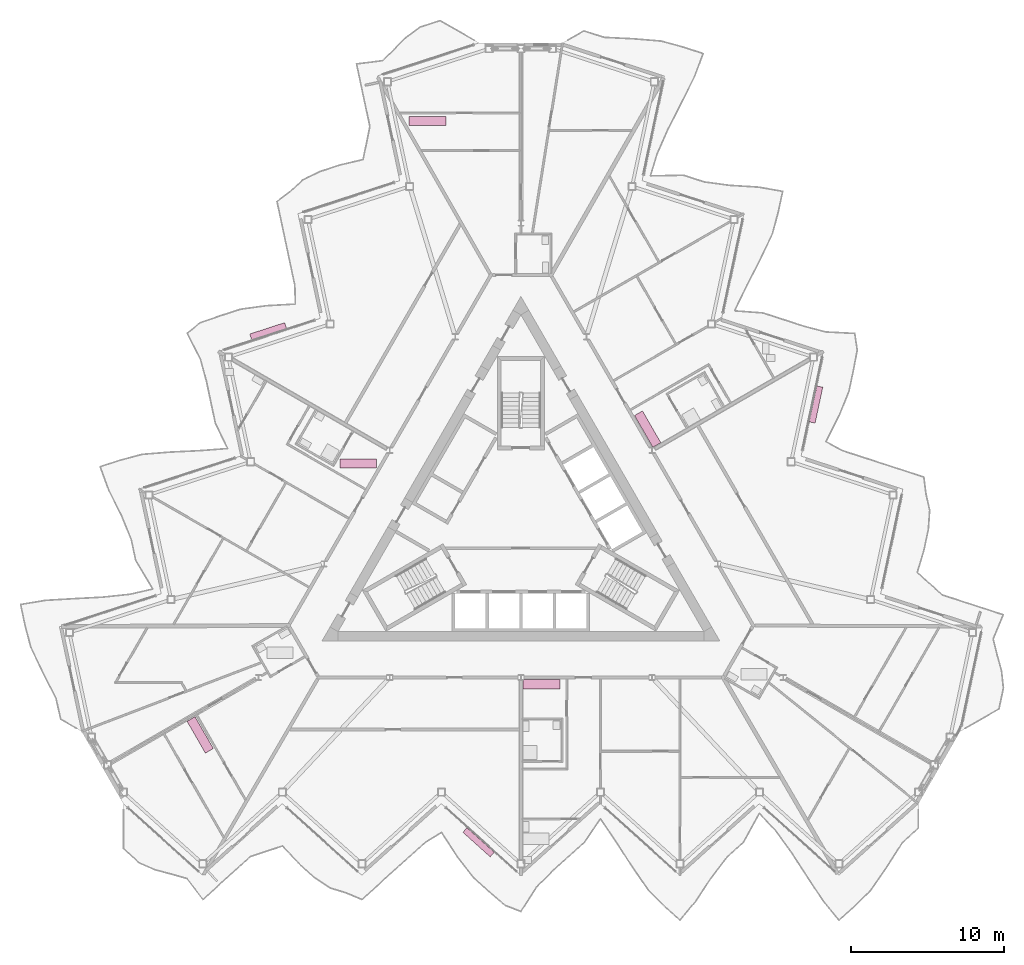
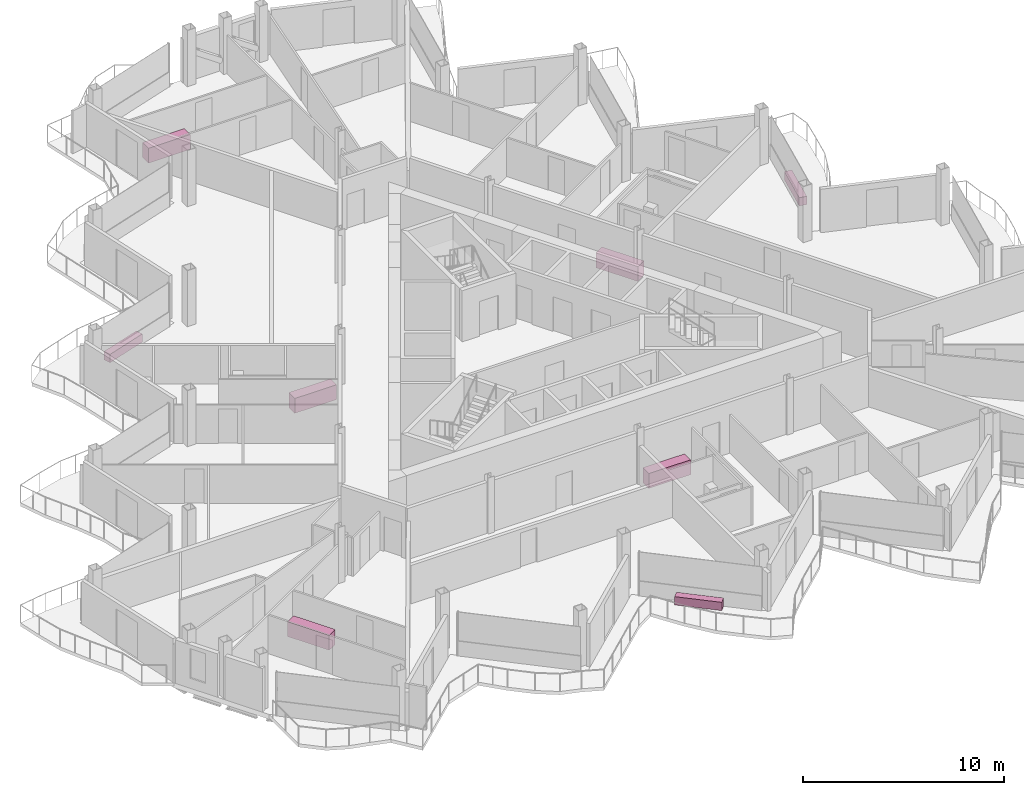
# One storey, part 26 of 26: 8 furniture elements.
"""IFC4 building model written with IfcOpenShell, lengths in metres."""

from ifc_helpers import new_model, si_unit, direction, frame, origin, origin_2d, place, context, subcontext, project, spatial, rectangle, extrude, material, type_object, element, save


model = new_model("IFC4")

# Units and contexts
model_context = context("Model", 3, precision=1e-05, world=origin(), true_north=direction((0.0, 1.0)))
body_context = subcontext(model_context, "Body", "Model", "MODEL_VIEW")
ifc_project = project(units=[si_unit("LENGTHUNIT", "METRE"), si_unit("AREAUNIT", "SQUARE_METRE"), si_unit("VOLUMEUNIT", "CUBIC_METRE"), si_unit("PLANEANGLEUNIT", "RADIAN"), si_unit("MASSUNIT", "GRAM", prefix="KILO")], contexts=[model_context])

# Site, building, storey
site_placement = place(None, origin())
site = spatial("IfcSite", under=ifc_project, at=site_placement, CompositionType="ELEMENT")
building_placement = place(site_placement, origin())
building = spatial("IfcBuilding", under=site, at=building_placement, Name="Cormorant Prow Tower", CompositionType="ELEMENT")
storey_placement = place(building_placement, frame((0.0, 0.0, 367.800048828125)))
storey = spatial("IfcBuildingStorey", under=building, at=storey_placement, Name="L82", CompositionType="ELEMENT", Elevation=367.800048828125)

# Furniture
ifc_material_1 = material(Name="Terracotta", Category="masonry")
furniture_type_1 = type_object("IfcFurnitureType", Name="Balcony planter 2400x400x500", AssemblyPlace="NOTDEFINED", PredefinedType="USERDEFINED", material=ifc_material_1)
for number, where, z_axis, x_axis, name in (
    (1, (-2.767333984375, -20.68408203125, 0.0), (0.0, 0.0, 1.0), (0.743144756574, -0.669130682884, 0.0), "Balcony planter S04"),
    (2, (19.296630859375, 7.945556640625, 0.0), (0.0, 0.0, 1.0), (0.207911756835, 0.978147586701, 0.0), "Balcony planter ENE04"),
    (3, (-16.529296875, 12.738525390625, 0.0), (0.0, 0.0, 1.0), (-0.951056548553, -0.309016895096, 0.0), "Balcony planter WNW04"),
):
    element("IfcFurniture", number, at=place(storey_placement, frame(where, z_axis=z_axis, x_axis=x_axis)), inside=storey, type_object=furniture_type_1, Name=name, ObjectType="PLANTER", PredefinedType="USERDEFINED", context=body_context, shape_type="SweptSolid", body=[
        extrude(rectangle(XDim=2.39990234375, YDim=0.39990234375, at=origin_2d()), origin(), (0.0, 0.0, 1.0), 0.5),
    ])
ifc_material_2 = material(Name="Timber joinery", Category="wood")
furniture_type_2 = type_object("IfcFurnitureType", Name="Kitchen counter 2400x600", AssemblyPlace="NOTDEFINED", PredefinedType="NOTDEFINED", material=ifc_material_2)
for number, where, z_axis, x_axis, name in (
    (4, (1.344970703125, -10.3505859375, 0.0), (0.0, 0.0, 1.0), (1.0, 0.0, 0.0), "Kitchen counter"),
    (5, (8.291259765625, 6.340087890625, 0.0), (0.0, 0.0, 1.0), (-0.5, 0.866025403784, 0.0), "Kitchen counter"),
    (6, (-6.108642578125, 26.494384765625, 0.0), (0.0, 0.0, 1.0), (1.0, 0.0, 0.0), "Kitchen counter"),
    (7, (-10.644775390625, 4.08447265625, 0.0), (0.0, 0.0, 1.0), (1.0, 0.0, 0.0), "Kitchen counter"),
    (8, (-20.973388671875, -13.662109375, 0.0), (0.0, 0.0, 1.0), (0.5, -0.866025403784, 0.0), "Kitchen counter"),
):
    element("IfcFurniture", number, at=place(storey_placement, frame(where, z_axis=z_axis, x_axis=x_axis)), inside=storey, type_object=furniture_type_2, Name=name, PredefinedType="NOTDEFINED", context=body_context, shape_type="SweptSolid", body=[
        extrude(rectangle(XDim=2.39990234375, YDim=0.60009765625, at=origin_2d()), origin(), (0.0, 0.0, 1.0), 0.89990234375),
    ])

save(model, "model.ifc")
